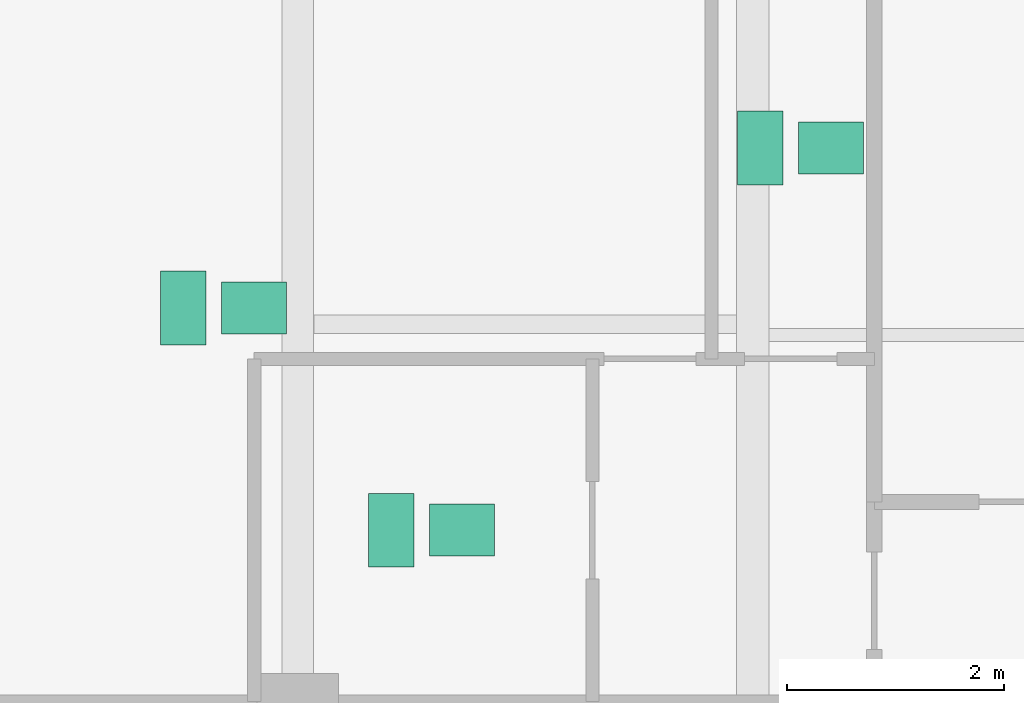
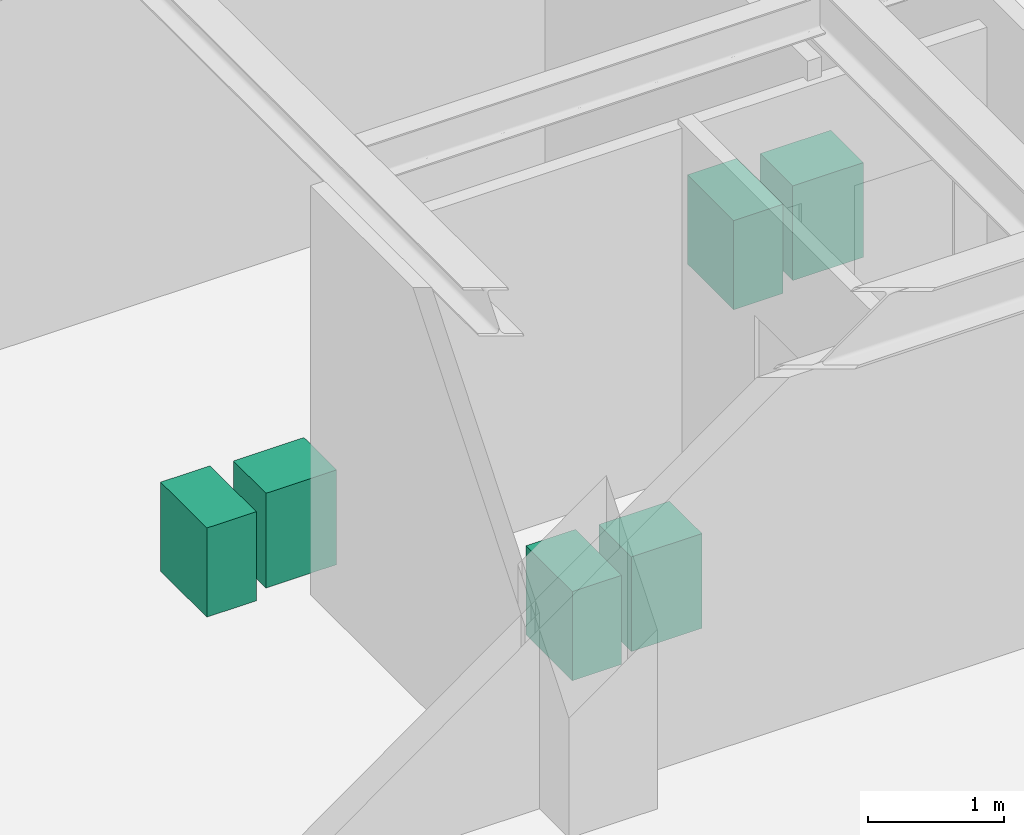
# One storey, part 20 of 20: 6 sanitary terminals.
"""IFC4 building model written with IfcOpenShell, lengths in metres."""

from ifc_helpers import new_model, si_unit, direction, frame, origin, origin_2d, place, context, subcontext, project, spatial, rectangle, extrude, source, transform, mapped, material, type_object, type_shapes, element, save


model = new_model("IFC4")

# Units and contexts
model_context = context("Model", 3, precision=1e-05, world=origin(), true_north=direction((0.0, 1.0)))
body_context = subcontext(model_context, "Body", "Model", "MODEL_VIEW")
ifc_project = project(units=[si_unit("LENGTHUNIT", "METRE"), si_unit("AREAUNIT", "SQUARE_METRE"), si_unit("VOLUMEUNIT", "CUBIC_METRE"), si_unit("PLANEANGLEUNIT", "RADIAN"), si_unit("MASSUNIT", "GRAM", prefix="KILO")], contexts=[model_context])

# Site, building, storey
site_placement = place(None, origin())
site = spatial("IfcSite", under=ifc_project, at=site_placement, CompositionType="ELEMENT")
building_placement = place(site_placement, origin())
building = spatial("IfcBuilding", under=site, at=building_placement, Name="Krantzveldt Concourse Tower", CompositionType="ELEMENT")
storey_placement = place(building_placement, frame((0.0, 0.0, 291.10009765625)))
storey = spatial("IfcBuildingStorey", under=building, at=storey_placement, Name="L71", CompositionType="ELEMENT", Elevation=291.10009765625)

# Sanitary terminals
ifc_material = material(Name="Vitreous china", Category="ceramic")
sanitary_terminal_type_1 = type_object("IfcSanitaryTerminalType", Name="SAN-WC-SUITE", PredefinedType="TOILETPAN", material=ifc_material)
shared_shape_1 = source(origin(), body_context, "Body", "SweptSolid", [
    extrude(rectangle(XDim=0.419921875, YDim=0.679931640625, at=origin_2d()), origin(), (0.0, 0.0, 1.0), 0.800048828125),
])
type_shapes(sanitary_terminal_type_1, [shared_shape_1])
for number, where, z_axis, x_axis, name in (
    (1, (19.94580078125, 30.449462890625, 0.0), (0.0, 0.0, 1.0), (1.0, 0.0, 0.0), "WC-SP-L71-WCM"),
    (2, (25.27001953125, 31.925048828125, 0.0), (0.0, 0.0, 1.0), (1.0, 0.0, 0.0), "WC-SP-L71-WCF"),
    (3, (21.864990234375, 28.39990234375, 0.0), (0.0, 0.0, 1.0), (1.0, 0.0, 0.0), "WC-SP-L71-WCA"),
):
    element("IfcSanitaryTerminal", number, at=place(storey_placement, frame(where, z_axis=z_axis, x_axis=x_axis)), inside=storey, type_object=sanitary_terminal_type_1, Name=name, PredefinedType="TOILETPAN", context=body_context, shape_type="MappedRepresentation", body=[
        mapped(shared_shape_1, transform((0.0, 0.0, 0.0), x_axis=(1.0, 0.0, 0.0), y_axis=(0.0, 1.0, 0.0), z_axis=(0.0, 0.0, 1.0), scale=1.0)),
    ])
sanitary_terminal_type_2 = type_object("IfcSanitaryTerminalType", Name="SAN-BASIN-600", PredefinedType="WASHHANDBASIN", material=ifc_material)
shared_shape_2 = source(origin(), body_context, "Body", "SweptSolid", [
    extrude(rectangle(XDim=0.60009765625, YDim=0.47998046875, at=origin_2d()), origin(), (0.0, 0.0, 1.0), 0.85009765625),
])
type_shapes(sanitary_terminal_type_2, [shared_shape_2])
for number, where, z_axis, x_axis, name in (
    (4, (20.595703125, 30.449462890625, 0.0048828125), (0.0, 0.0, 1.0), (1.0, 0.0, 0.0), "BSN-SP-L71-WCM"),
    (5, (25.919921875, 31.925048828125, 0.0048828125), (0.0, 0.0, 1.0), (1.0, 0.0, 0.0), "BSN-SP-L71-WCF"),
    (6, (22.514892578125, 28.39990234375, 0.0048828125), (0.0, 0.0, 1.0), (1.0, 0.0, 0.0), "BSN-SP-L71-WCA"),
):
    element("IfcSanitaryTerminal", number, at=place(storey_placement, frame(where, z_axis=z_axis, x_axis=x_axis)), inside=storey, type_object=sanitary_terminal_type_2, Name=name, PredefinedType="WASHHANDBASIN", context=body_context, shape_type="MappedRepresentation", body=[
        mapped(shared_shape_2, transform((0.0, 0.0, 0.0), x_axis=(1.0, 0.0, 0.0), y_axis=(0.0, 1.0, 0.0), z_axis=(0.0, 0.0, 1.0), scale=1.0)),
    ])

save(model, "model.ifc")
